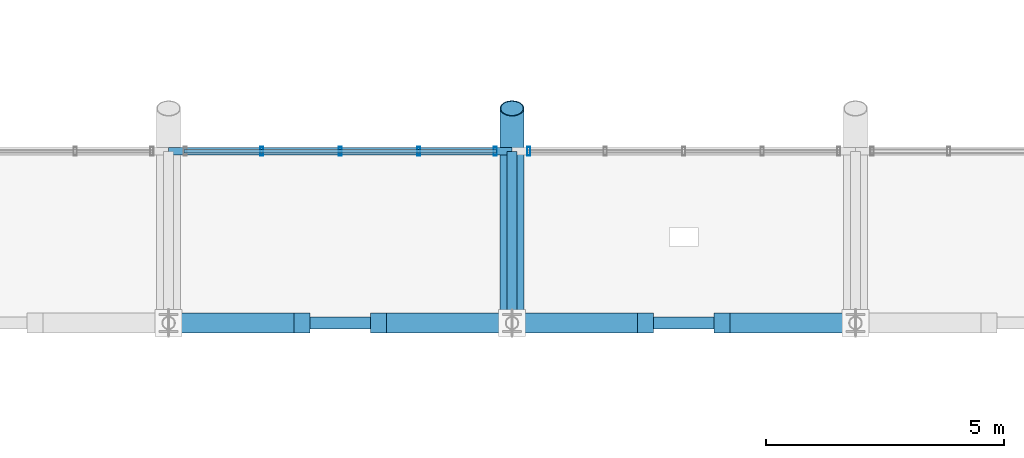
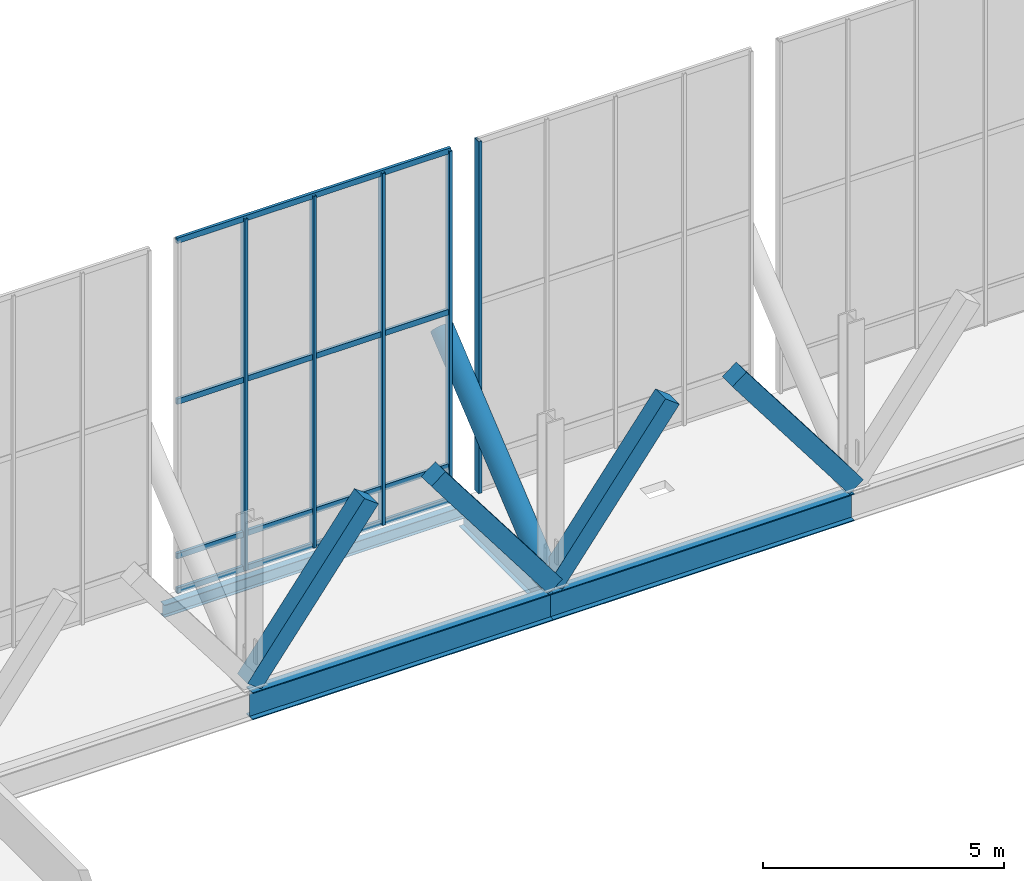
# One storey, part 28 of 102: 14 members, 4 beams, 2 elements without a shape of their own.
"""IFC4 building model written with IfcOpenShell, lengths in metres."""

from ifc_helpers import new_model, si_unit, direction, frame, origin, origin_2d, place, context, subcontext, project, spatial, rectangle, hollow_rectangle, hollow_circle, i_section, extrude, material, material_profile, profile_set, type_object, element, aggregate, save


model = new_model("IFC4")

# Units and contexts
model_context = context("Model", 3, precision=1e-05, world=origin(), true_north=direction((0.0, 1.0)))
body_context = subcontext(model_context, "Body", "Model", "MODEL_VIEW")
ifc_project = project(units=[si_unit("LENGTHUNIT", "METRE"), si_unit("AREAUNIT", "SQUARE_METRE"), si_unit("VOLUMEUNIT", "CUBIC_METRE"), si_unit("PLANEANGLEUNIT", "RADIAN"), si_unit("MASSUNIT", "GRAM", prefix="KILO")], contexts=[model_context])

# Site, building, storey
site_placement = place(None, origin())
site = spatial("IfcSite", under=ifc_project, at=site_placement, CompositionType="ELEMENT")
building_placement = place(site_placement, origin())
building = spatial("IfcBuilding", under=site, at=building_placement, Name="Yarey Park Central Fire Station", CompositionType="ELEMENT")
storey_placement = place(building_placement, frame((0.0, 0.0, 6.0)))
storey = spatial("IfcBuildingStorey", under=building, at=storey_placement, Name="L02", CompositionType="ELEMENT", Elevation=6.0)

# Curtain wall, members
ifc_material_1 = material(Name="Anodized Aluminium Frame", Category="aluminium")
curtain_wall_type = type_object("IfcCurtainWallType", Name="ENV_CW_CLER_9M", PredefinedType="NOTDEFINED", material=ifc_material_1)
curtain_wall_1_placement = place(storey_placement, origin())
curtain_wall_1 = element("IfcCurtainWall", 1, at=curtain_wall_1_placement, inside=storey, type_object=curtain_wall_type, Name="CW_V2_CLER_S_04", PredefinedType="NOTDEFINED")
ifc_material_profile_1 = material_profile(ifc_material_1, hollow_rectangle(XDim=0.070068359375, YDim=0.179931640625, WallThickness=0.00390625, at=origin_2d()), Name="ALU 180x70x4")
ifc_profile_set_1 = profile_set([ifc_material_profile_1], Name="Anodized Aluminium Frame")
member_type_1 = type_object("IfcMemberType", Name="ENV_CW_MULLION", PredefinedType="MULLION", material=ifc_profile_set_1)
member_1_placement = place(storey_placement, frame((81.155029296875, 61.199951171875, 0.0), z_axis=(0.0, 0.0, 1.0), x_axis=(1.0, 0.0, 0.0)))
member_1 = element("IfcMember", 2, at=member_1_placement, type_object=member_type_1, Name="CW_V2_CLER_S_04_MUL2", PredefinedType="MULLION", context=body_context, shape_type="SweptSolid", body=[
    extrude(hollow_rectangle(XDim=0.070068359375, YDim=0.179931640625, WallThickness=0.00390625, at=origin_2d()), origin(), (0.0, 0.0, 1.0), 8.89990234375),
])
member_2_placement = place(storey_placement, frame((82.800048828125, 61.199951171875, 0.0), z_axis=(0.0, 0.0, 1.0), x_axis=(1.0, 0.0, 0.0)))
member_2 = element("IfcMember", 3, at=member_2_placement, type_object=member_type_1, Name="CW_V2_CLER_S_04_MUL3", PredefinedType="MULLION", context=body_context, shape_type="SweptSolid", body=[
    extrude(hollow_rectangle(XDim=0.070068359375, YDim=0.179931640625, WallThickness=0.00390625, at=origin_2d()), origin(), (0.0, 0.0, 1.0), 8.89990234375),
])
member_3_placement = place(storey_placement, frame((84.445068359375, 61.199951171875, 0.0), z_axis=(0.0, 0.0, 1.0), x_axis=(1.0, 0.0, 0.0)))
member_3 = element("IfcMember", 4, at=member_3_placement, type_object=member_type_1, Name="CW_V2_CLER_S_04_MUL4", PredefinedType="MULLION", context=body_context, shape_type="SweptSolid", body=[
    extrude(hollow_rectangle(XDim=0.070068359375, YDim=0.179931640625, WallThickness=0.00390625, at=origin_2d()), origin(), (0.0, 0.0, 1.0), 8.89990234375),
])
member_4_placement = place(storey_placement, frame((86.050048828125, 61.199951171875, 0.0), z_axis=(0.0, 0.0, 1.0), x_axis=(1.0, 0.0, 0.0)))
member_4 = element("IfcMember", 5, at=member_4_placement, type_object=member_type_1, Name="CW_V2_CLER_S_04_MUL5", PredefinedType="MULLION", context=body_context, shape_type="SweptSolid", body=[
    extrude(hollow_rectangle(XDim=0.070068359375, YDim=0.179931640625, WallThickness=0.00390625, at=origin_2d()), origin(), (0.0, 0.0, 1.0), 8.89990234375),
])

# Curtain wall, member
curtain_wall_2_placement = place(storey_placement, origin())
curtain_wall_2 = element("IfcCurtainWall", 6, at=curtain_wall_2_placement, inside=storey, type_object=curtain_wall_type, Name="CW_V2_CLER_S_05", PredefinedType="NOTDEFINED")
member_5_placement = place(storey_placement, frame((86.75, 61.199951171875, 0.0), z_axis=(0.0, 0.0, 1.0), x_axis=(1.0, 0.0, 0.0)))
member_5 = element("IfcMember", 7, at=member_5_placement, type_object=member_type_1, Name="CW_V2_CLER_S_05_MUL1", PredefinedType="MULLION", context=body_context, shape_type="SweptSolid", body=[
    extrude(hollow_rectangle(XDim=0.070068359375, YDim=0.179931640625, WallThickness=0.00390625, at=origin_2d()), origin(), (0.0, 0.0, 1.0), 8.89990234375),
])
aggregate(curtain_wall_2, [member_5])

# Member
ifc_material_profile_2 = material_profile(ifc_material_1, hollow_rectangle(XDim=0.070068359375, YDim=0.139892578125, WallThickness=0.00390625, at=origin_2d()), Name="ALU 140x70x4")
ifc_profile_set_2 = profile_set([ifc_material_profile_2], Name="Anodized Aluminium Frame")
member_type_2 = type_object("IfcMemberType", Name="ENV_CW_TRANSOM", PredefinedType="USERDEFINED", material=ifc_profile_set_2)
member_6_placement = place(storey_placement, frame((79.52490234375, 61.199951171875, 0.02490234375), z_axis=(1.0, 0.0, 0.0), x_axis=(0.0, 1.0, 0.0)))
member_6 = element("IfcMember", 8, at=member_6_placement, type_object=member_type_2, Name="CW_V2_CLER_S_04_TRN1", ObjectType="TRANSOM", PredefinedType="USERDEFINED", context=body_context, shape_type="SweptSolid", body=[
    extrude(hollow_rectangle(XDim=0.070068359375, YDim=0.139892578125, WallThickness=0.00390625, at=origin_2d()), origin(), (0.0, 0.0, 1.0), 6.550048828125),
])

member_7_placement = place(storey_placement, frame((79.52490234375, 61.199951171875, 0.89990234375), z_axis=(1.0, 0.0, 0.0), x_axis=(0.0, 1.0, 0.0)))
member_7 = element("IfcMember", 9, at=member_7_placement, type_object=member_type_2, Name="CW_V2_CLER_S_04_TRN2", ObjectType="TRANSOM", PredefinedType="USERDEFINED", context=body_context, shape_type="SweptSolid", body=[
    extrude(hollow_rectangle(XDim=0.070068359375, YDim=0.139892578125, WallThickness=0.00390625, at=origin_2d()), origin(), (0.0, 0.0, 1.0), 6.550048828125),
])

member_8_placement = place(storey_placement, frame((79.52490234375, 61.199951171875, 4.805908203125), z_axis=(1.0, 0.0, 0.0), x_axis=(0.0, 1.0, 0.0)))
member_8 = element("IfcMember", 10, at=member_8_placement, type_object=member_type_2, Name="CW_V2_CLER_S_04_TRN3", ObjectType="TRANSOM", PredefinedType="USERDEFINED", context=body_context, shape_type="SweptSolid", body=[
    extrude(hollow_rectangle(XDim=0.070068359375, YDim=0.139892578125, WallThickness=0.00390625, at=origin_2d()), origin(), (0.0, 0.0, 1.0), 6.550048828125),
])

member_9_placement = place(storey_placement, frame((79.52490234375, 61.199951171875, 8.875), z_axis=(1.0, 0.0, 0.0), x_axis=(0.0, 1.0, 0.0)))
member_9 = element("IfcMember", 11, at=member_9_placement, type_object=member_type_2, Name="CW_V2_CLER_S_04_TRN4", ObjectType="TRANSOM", PredefinedType="USERDEFINED", context=body_context, shape_type="SweptSolid", body=[
    extrude(hollow_rectangle(XDim=0.070068359375, YDim=0.139892578125, WallThickness=0.00390625, at=origin_2d()), origin(), (0.0, 0.0, 1.0), 6.550048828125),
])

aggregate(curtain_wall_1, [member_1, member_2, member_3, member_4, member_6, member_7, member_8, member_9])

# Beams
ifc_material_2 = material(Name="Steel ASTM A992 Gr. 50", Category="steel")
ifc_material_profile_3 = material_profile(ifc_material_2, i_section(OverallWidth=0.208984375, OverallDepth=0.532958984375, WebThickness=0.01025390625, FlangeThickness=0.015625, at=origin_2d()), Name="W530x92")
ifc_profile_set_3 = profile_set([ifc_material_profile_3], Name="Steel ASTM A992 Gr. 50")
beam_type_1 = type_object("IfcBeamType", Name="STR_BM_W530", PredefinedType="BEAM", material=ifc_profile_set_3)
beam_1_placement = place(storey_placement, frame((86.39990234375, 57.60009765625, -0.46142578125), z_axis=(0.0, 1.0, 0.0), x_axis=(-1.0, 0.0, 0.0)))
element("IfcBeam", 12, at=beam_1_placement, inside=storey, type_object=beam_type_1, Name="EAVE RIB S 04", PredefinedType="BEAM", context=body_context, shape_type="SweptSolid", body=[
    extrude(i_section(OverallWidth=0.208984375, OverallDepth=0.532958984375, WebThickness=0.01025390625, FlangeThickness=0.015625, at=origin_2d()), origin(), (0.0, 0.0, 1.0), 3.599853515625),
])
ifc_material_profile_4 = material_profile(ifc_material_2, i_section(OverallWidth=0.256103515625, OverallDepth=0.693115234375, WebThickness=0.014404296875, FlangeThickness=0.023681640625, at=origin_2d()), Name="W690x170")
ifc_profile_set_4 = profile_set([ifc_material_profile_4], Name="Steel ASTM A992 Gr. 50")
beam_type_2 = type_object("IfcBeamType", Name="STR_BM_W690", PredefinedType="BEAM", material=ifc_profile_set_4)
beam_2_placement = place(storey_placement, frame((79.199951171875, 57.60009765625, -0.54150390625), z_axis=(1.0, 0.0, 0.0), x_axis=(0.0, 1.0, 0.0)))
element("IfcBeam", 13, at=beam_2_placement, inside=storey, type_object=beam_type_2, Name="BMX L02 Y576 X792", PredefinedType="BEAM", context=body_context, shape_type="SweptSolid", body=[
    extrude(i_section(OverallWidth=0.256103515625, OverallDepth=0.693115234375, WebThickness=0.014404296875, FlangeThickness=0.023681640625, at=origin_2d()), origin(), (0.0, 0.0, 1.0), 7.199951171875),
])
beam_3_placement = place(storey_placement, frame((86.39990234375, 57.60009765625, -0.54150390625), z_axis=(1.0, 0.0, 0.0), x_axis=(0.0, 1.0, 0.0)))
element("IfcBeam", 14, at=beam_3_placement, inside=storey, type_object=beam_type_2, Name="BMX L02 Y576 X864", PredefinedType="BEAM", context=body_context, shape_type="SweptSolid", body=[
    extrude(i_section(OverallWidth=0.256103515625, OverallDepth=0.693115234375, WebThickness=0.014404296875, FlangeThickness=0.023681640625, at=origin_2d()), origin(), (0.0, 0.0, 1.0), 7.2001953125),
])

# Member
ifc_material_3 = material(Name="Steel ASTM A500 Gr. C", Category="steel")
ifc_material_profile_5 = material_profile(ifc_material_3, hollow_circle(Radius=0.25390625, WallThickness=0.02001953125, at=origin_2d()), Name="CHS 508x20")
ifc_profile_set_5 = profile_set([ifc_material_profile_5], Name="Steel ASTM A500 Gr. C")
member_type_3 = type_object("IfcMemberType", Name="STR_CHORD_CHS508", PredefinedType="CHORD", material=ifc_profile_set_5)
member_10_placement = place(storey_placement, frame((86.39990234375, 57.60009765625, 0.0), z_axis=(0.0, 0.770847459396, 0.637019775473), x_axis=(-1.0, 0.0, 0.0)))
element("IfcMember", 15, at=member_10_placement, inside=storey, type_object=member_type_3, Name="Arched Roof Truss ART_05 Bottom Chord 1", PredefinedType="CHORD", context=body_context, shape_type="SweptSolid", body=[
    extrude(hollow_circle(Radius=0.25390625, WallThickness=0.02001953125, at=origin_2d()), origin(), (0.0, 0.0, 1.0), 5.837646484375),
])

# Beam
ifc_material_profile_6 = material_profile(ifc_material_2, i_section(OverallWidth=0.1650390625, OverallDepth=0.31005859375, WebThickness=0.005859375, FlangeThickness=0.009765625, at=origin_2d()), Name="W310x39")
ifc_profile_set_6 = profile_set([ifc_material_profile_6], Name="Steel ASTM A992 Gr. 50")
beam_type_3 = type_object("IfcBeamType", Name="STR_SPN_W310", PredefinedType="SPANDREL", material=ifc_profile_set_6)
beam_4_placement = place(storey_placement, frame((79.199951171875, 61.199951171875, -0.35009765625), z_axis=(1.0, 0.0, 0.0), x_axis=(0.0, 1.0, 0.0)))
element("IfcBeam", 16, at=beam_4_placement, inside=storey, type_object=beam_type_3, Name="EAVE EDG S 03", PredefinedType="SPANDREL", context=body_context, shape_type="SweptSolid", body=[
    extrude(i_section(OverallWidth=0.1650390625, OverallDepth=0.31005859375, WebThickness=0.005859375, FlangeThickness=0.009765625, at=origin_2d()), origin(), (0.0, 0.0, 1.0), 7.199951171875),
])

# Members
ifc_material_4 = material(Name="Glulam GL28h", Category="wood")
ifc_material_profile_7 = material_profile(ifc_material_4, rectangle(XDim=0.419921875, YDim=0.419921875, at=origin_2d()), Name="GL 420x420")
ifc_profile_set_7 = profile_set([ifc_material_profile_7], Name="Glulam GL28h")
member_type_4 = type_object("IfcMemberType", Name="STR_STRUT_GL420", PredefinedType="STRUT", material=ifc_profile_set_7)
for number, where, z_axis, x_axis, name in (
    (17, (79.199951171875, 57.60009765625, 0.02001953125), (0.603454425048, 0.0, 0.797397489895), (0.0, 1.0, 0.0), "Raked Glulam Strut RGS-033"),
    (18, (86.39990234375, 57.60009765625, 0.02001953125), (0.603454425048, 0.0, 0.797397489895), (0.0, 1.0, 0.0), "Raked Glulam Strut RGS-037"),
):
    element("IfcMember", number, at=place(storey_placement, frame(where, z_axis=z_axis, x_axis=x_axis)), inside=storey, type_object=member_type_4, Name=name, PredefinedType="STRUT", context=body_context, shape_type="SweptSolid", body=[
        extrude(rectangle(XDim=0.419921875, YDim=0.419921875, at=origin_2d()), origin(), (0.0, 0.0, 1.0), 4.64013671875),
    ])
member_11_placement = place(storey_placement, frame((86.39990234375, 57.60009765625, 0.02001953125), z_axis=(-0.603420967868, 0.0, 0.797422808514), x_axis=(0.0, -1.0, 0.0)))
element("IfcMember", 19, at=member_11_placement, inside=storey, type_object=member_type_4, Name="Raked Glulam Strut RGS-038", PredefinedType="STRUT", context=body_context, shape_type="SweptSolid", body=[
    extrude(rectangle(XDim=0.419921875, YDim=0.419921875, at=origin_2d()), origin(), (0.0, 0.0, 1.0), 4.639892578125),
])
member_12_placement = place(storey_placement, frame((93.60009765625, 57.60009765625, 0.02001953125), z_axis=(-0.603454425048, 0.0, 0.797397489895), x_axis=(0.0, -1.0, 0.0)))
element("IfcMember", 20, at=member_12_placement, inside=storey, type_object=member_type_4, Name="Raked Glulam Strut RGS-042", PredefinedType="STRUT", context=body_context, shape_type="SweptSolid", body=[
    extrude(rectangle(XDim=0.419921875, YDim=0.419921875, at=origin_2d()), origin(), (0.0, 0.0, 1.0), 4.64013671875),
])

save(model, "model.ifc")
